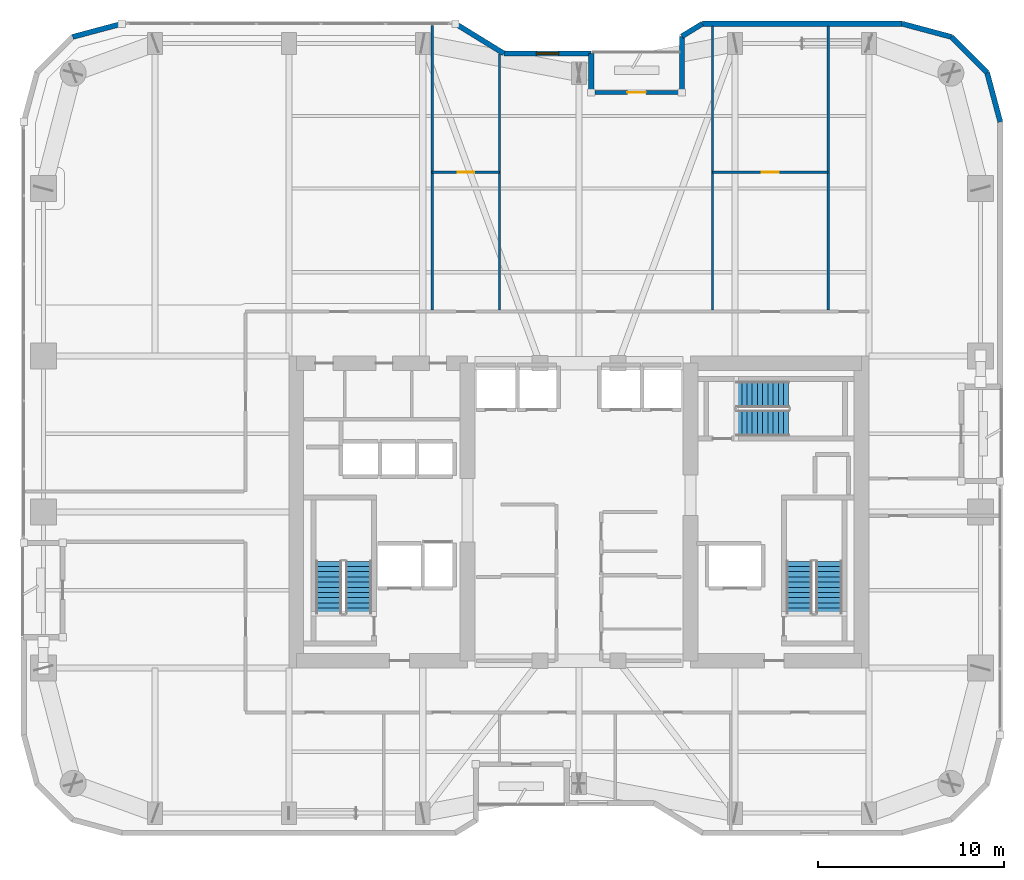
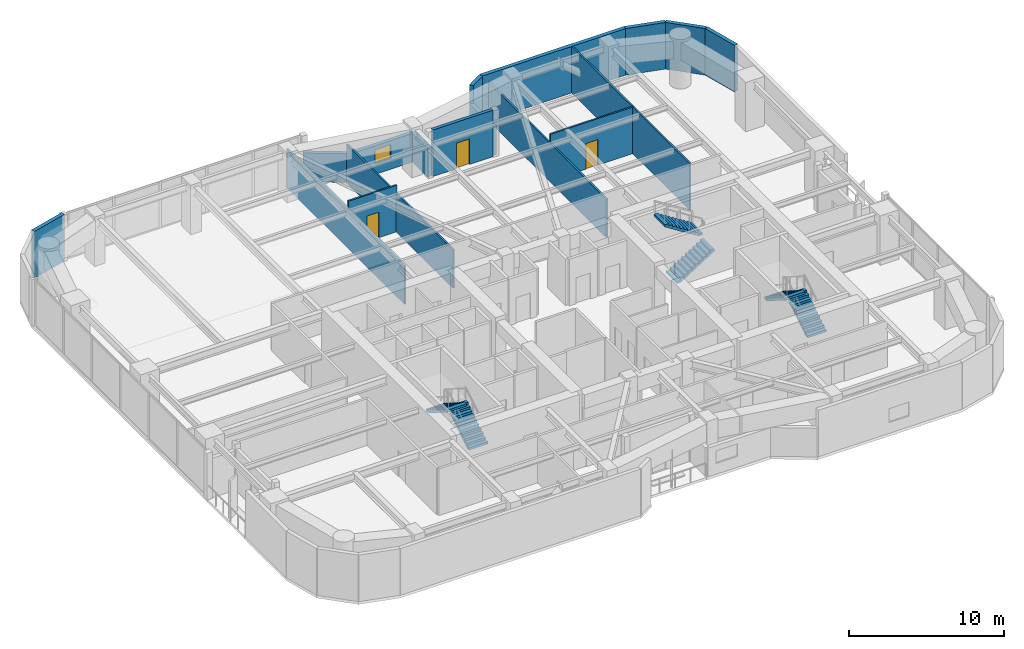
# One storey, part 28 of 31: 17 walls, 6 stair flights, 3 doors, 1 window, 4 openings, 3 elements without a shape of their own.
"""IFC4 building model written with IfcOpenShell, lengths in metres."""

from ifc_helpers import new_model, si_unit, direction, frame, frame_2d, origin, place, context, subcontext, project, spatial, polyline, rectangle, outline, extrude, material, layer, layer_set, type_object, element, fill, aggregate, save


model = new_model("IFC4")

# Units and contexts
model_context = context("Model", 3, precision=1e-05, world=origin(), true_north=direction((0.0, 1.0)))
body_context = subcontext(model_context, "Body", "Model", "MODEL_VIEW")
ifc_project = project(units=[si_unit("LENGTHUNIT", "METRE"), si_unit("AREAUNIT", "SQUARE_METRE"), si_unit("VOLUMEUNIT", "CUBIC_METRE"), si_unit("PLANEANGLEUNIT", "RADIAN"), si_unit("MASSUNIT", "GRAM", prefix="KILO")], contexts=[model_context])

# Site, building, storey
site_placement = place(None, origin())
site = spatial("IfcSite", under=ifc_project, at=site_placement, CompositionType="ELEMENT")
building_placement = place(site_placement, origin())
building = spatial("IfcBuilding", under=site, at=building_placement, Name="Kiyonajd Concourse Tower", CompositionType="ELEMENT")
storey_placement = place(building_placement, frame((0.0, 0.0, 158.39990234375)))
storey = spatial("IfcBuildingStorey", under=building, at=storey_placement, Name="L40", CompositionType="ELEMENT", Elevation=158.39990234375)

# Walls
ifc_material_1 = material(Name="Precast concrete C50/60", Category="concrete")
ifc_layer_1 = layer(ifc_material_1, 0.280029296875)
ifc_layer_set_1 = layer_set([ifc_layer_1], Name="Precast concrete C50/60")
wall_type_1 = type_object("IfcWallType", Name="WL-EXT-280", PredefinedType="SOLIDWALL", material=ifc_layer_set_1)
wall_1_placement = place(storey_placement, frame((20.7724609375, 61.551513671875, 0.0), z_axis=(0.0, 0.0, 1.0), x_axis=(0.965971118627, 0.258649952598, 0.0)))
element("IfcWall", 1, at=wall_1_placement, inside=storey, type_object=wall_type_1, Name="L40 Exterior Concrete Frame Wall 08", PredefinedType="SOLIDWALL", context=body_context, shape_type="SweptSolid", body=[
    extrude(rectangle(XDim=2.7392578125, YDim=0.280029296875, at=frame_2d((1.36962890625, 0.0))), origin(), (0.0, 0.0, 1.0), 3.68017578125),
])
wall_2_placement = place(storey_placement, frame((41.3603515625, 62.260009765625, 0.0), z_axis=(0.0, 0.0, 1.0), x_axis=(0.851652825334, -0.524106349037, 0.0)))
element("IfcWall", 2, at=wall_2_placement, inside=storey, type_object=wall_type_1, Name="L40 Exterior Concrete Frame Wall 10", PredefinedType="SOLIDWALL", context=body_context, shape_type="SweptSolid", body=[
    extrude(rectangle(XDim=3.052978515625, YDim=0.280029296875, at=frame_2d((1.5263671875, 0.0))), origin(), (0.0, 0.0, 1.0), 2.26513671875),
])

# Wall, opening, window
wall_3_placement = place(storey_placement, frame((43.96044921875, 60.659912109375, 0.0), z_axis=(0.0, 0.0, 1.0), x_axis=(1.0, 0.0, 0.0)))
wall_3 = element("IfcWall", 3, at=wall_3_placement, inside=storey, type_object=wall_type_1, Name="L40 Exterior Concrete Frame Wall 11", PredefinedType="SOLIDWALL", context=body_context, shape_type="SweptSolid", body=[
    extrude(rectangle(XDim=4.699462890625, YDim=0.280029296875, at=frame_2d((2.349609375, 0.0))), origin(), (0.0, 0.0, 1.0), 2.26513671875),
])
opening_1_placement = place(wall_3_placement, frame((1.75, 0.0, 0.85009765625)))
opening_1 = element("IfcOpeningElement", 4, at=opening_1_placement, cuts=wall_3, Name="Opening WN3", PredefinedType="OPENING", context=body_context, shape_type="SweptSolid", body=[
    extrude(rectangle(XDim=1.199951171875, YDim=1.10009765625, at=frame_2d((0.60009765625, 0.550048828125))), frame((0.0, 0.14990234375, 0.0), z_axis=(0.0, -1.0, 0.0), x_axis=(1.0, 0.0, 0.0)), (0.0, 0.0, 1.0), 0.300048828125),
])
ifc_material_2 = material(Name="Double Low-E Insulated Glass", Category="glass")
window_type = type_object("IfcWindowType", Name="WN-VIS-1200x1100", PartitioningType="SINGLE_PANEL", PredefinedType="WINDOW", material=ifc_material_2)
window_placement = place(opening_1_placement, origin())
window = element("IfcWindow", 5, at=window_placement, inside=storey, type_object=window_type, Name="L40 Modular Facade Vision Window 11", OverallHeight=1.10009765625, OverallWidth=1.199951171875, PartitioningType="SINGLE_PANEL", PredefinedType="WINDOW", context=body_context, shape_type="SweptSolid", body=[
    extrude(rectangle(XDim=1.199951171875, YDim=1.10009765625, at=frame_2d((0.60009765625, 0.550048828125))), frame((0.0, 0.030029296875, 0.0), z_axis=(0.0, -1.0, 0.0), x_axis=(1.0, 0.0, 0.0)), (0.0, 0.0, 1.0), 0.06005859375),
])
fill(opening_1, window)

# Walls
wall_4_placement = place(storey_placement, frame((48.659912109375, 60.659912109375, 0.0), z_axis=(0.0, 0.0, 1.0), x_axis=(0.0, -1.0, 0.0)))
element("IfcWall", 6, at=wall_4_placement, inside=storey, type_object=wall_type_1, Name="L40 Exterior Concrete Frame Wall 12", PredefinedType="SOLIDWALL", context=body_context, shape_type="SweptSolid", body=[
    extrude(rectangle(XDim=2.099853515625, YDim=0.280029296875, at=frame_2d((1.0498046875, 0.0))), origin(), (0.0, 0.0, 1.0), 2.26513671875),
])
wall_5_placement = place(storey_placement, frame((53.5400390625, 58.56005859375, 0.0), z_axis=(0.0, 0.0, 1.0), x_axis=(0.0, 1.0, 0.0)))
element("IfcWall", 7, at=wall_5_placement, inside=storey, type_object=wall_type_1, Name="L40 Exterior Concrete Frame Wall 14", PredefinedType="SOLIDWALL", context=body_context, shape_type="SweptSolid", body=[
    extrude(rectangle(XDim=3.023681640625, YDim=0.280029296875, at=frame_2d((1.51171875, 0.0))), origin(), (0.0, 0.0, 1.0), 2.26513671875),
])
wall_6_placement = place(storey_placement, frame((53.5400390625, 61.583740234375, 0.0), z_axis=(0.0, 0.0, 1.0), x_axis=(0.851801140441, 0.523865266212, 0.0)))
element("IfcWall", 8, at=wall_6_placement, inside=storey, type_object=wall_type_1, Name="L40 Exterior Concrete Frame Wall 15", PredefinedType="SOLIDWALL", context=body_context, shape_type="SweptSolid", body=[
    extrude(rectangle(XDim=1.291015625, YDim=0.280029296875, at=frame_2d((0.6455078125, 0.0))), origin(), (0.0, 0.0, 1.0), 3.68017578125),
])
wall_7_placement = place(storey_placement, frame((54.6396484375, 62.260009765625, 0.0), z_axis=(0.0, 0.0, 1.0), x_axis=(1.0, 0.0, 0.0)))
element("IfcWall", 9, at=wall_7_placement, inside=storey, type_object=wall_type_1, Name="L40 Exterior Concrete Frame Wall 16", PredefinedType="SOLIDWALL", context=body_context, shape_type="SweptSolid", body=[
    extrude(rectangle(XDim=10.741943359375, YDim=0.280029296875, at=frame_2d((5.37109375, 0.0))), origin(), (0.0, 0.0, 1.0), 3.68017578125),
])
wall_8_placement = place(storey_placement, frame((65.381591796875, 62.260009765625, 0.0), z_axis=(0.0, 0.0, 1.0), x_axis=(0.965971118627, -0.258649952598, 0.0)))
element("IfcWall", 10, at=wall_8_placement, inside=storey, type_object=wall_type_1, Name="L40 Exterior Concrete Frame Wall 17", PredefinedType="SOLIDWALL", context=body_context, shape_type="SweptSolid", body=[
    extrude(rectangle(XDim=2.7392578125, YDim=0.280029296875, at=frame_2d((1.36962890625, 0.0))), origin(), (0.0, 0.0, 1.0), 3.68017578125),
])
wall_9_placement = place(storey_placement, frame((68.027587890625, 61.551513671875, 0.0), z_axis=(0.0, 0.0, 1.0), x_axis=(0.707061915429, -0.707151644098, 0.0)))
element("IfcWall", 11, at=wall_9_placement, inside=storey, type_object=wall_type_1, Name="L40 Exterior Concrete Frame Wall 18", PredefinedType="SOLIDWALL", context=body_context, shape_type="SweptSolid", body=[
    extrude(rectangle(XDim=2.720947265625, YDim=0.280029296875, at=frame_2d((1.3603515625, 0.0))), origin(), (0.0, 0.0, 1.0), 3.68017578125),
])
wall_10_placement = place(storey_placement, frame((69.951416015625, 59.62744140625, 0.0), z_axis=(0.0, 0.0, 1.0), x_axis=(0.258672222976, -0.9659651552, 0.0)))
element("IfcWall", 12, at=wall_10_placement, inside=storey, type_object=wall_type_1, Name="L40 Exterior Concrete Frame Wall 19", PredefinedType="SOLIDWALL", context=body_context, shape_type="SweptSolid", body=[
    extrude(rectangle(XDim=2.739013671875, YDim=0.280029296875, at=frame_2d((1.36962890625, 0.0))), origin(), (0.0, 0.0, 1.0), 3.68017578125),
])

# Wall, opening, door
ifc_layer_2 = layer(ifc_material_1, 0.239990234375)
ifc_layer_set_2 = layer_set([ifc_layer_2], Name="Precast concrete C50/60")
wall_type_2 = type_object("IfcWallType", Name="WL-LOG-240", PredefinedType="SOLIDWALL", material=ifc_layer_set_2)
wall_11_placement = place(storey_placement, frame((48.85498046875, 58.56005859375, 0.0), z_axis=(0.0, 0.0, 1.0), x_axis=(1.0, 0.0, 0.0)))
wall_11 = element("IfcWall", 13, at=wall_11_placement, inside=storey, type_object=wall_type_2, Name="L40 Recessed Loggia Thermal Wall LOG-N", PredefinedType="SOLIDWALL", context=body_context, shape_type="SweptSolid", body=[
    extrude(rectangle(XDim=4.489990234375, YDim=0.239990234375, at=frame_2d((2.2451171875, 0.0))), origin(), (0.0, 0.0, 1.0), 3.68017578125),
])
opening_2_placement = place(wall_11_placement, frame((1.7451171875, 0.0, 0.0)))
opening_2 = element("IfcOpeningElement", 14, at=opening_2_placement, cuts=wall_11, Name="Opening DL1", PredefinedType="OPENING", context=body_context, shape_type="SweptSolid", body=[
    extrude(rectangle(XDim=1.0, YDim=2.02001953125, at=frame_2d((0.5, 1.010009765625))), frame((0.0, 0.1298828125, 0.0), z_axis=(0.0, -1.0, 0.0), x_axis=(1.0, 0.0, 0.0)), (0.0, 0.0, 1.0), 0.260009765625),
])
ifc_material_3 = material(Name="Thermally Broken Anodised Aluminium", Category="aluminium")
door_type_1 = type_object("IfcDoorType", Name="DR-LOG-1000", OperationType="NOTDEFINED", PredefinedType="DOOR", material=ifc_material_3)
door_1_placement = place(opening_2_placement, origin())
door_1 = element("IfcDoor", 15, at=door_1_placement, inside=storey, type_object=door_type_1, Name="L40 Engawa Loggia Access Door LOG-N", OperationType="SINGLE_SWING_RIGHT", OverallHeight=2.02001953125, OverallWidth=1.0, PredefinedType="DOOR", context=body_context, shape_type="SweptSolid", body=[
    extrude(rectangle(XDim=1.0, YDim=2.02001953125, at=frame_2d((0.5, 1.010009765625))), frame((0.0, 0.02490234375, 0.0), z_axis=(0.0, -1.0, 0.0), x_axis=(1.0, 0.0, 0.0)), (0.0, 0.0, 1.0), 0.050048828125),
])
fill(opening_2, door_1)

ifc_material_4 = material(Name="Gypsum Board on Cold-Formed Steel Stud", Category="steel")
ifc_layer_3 = layer(ifc_material_4, 0.125)
ifc_layer_set_3 = layer_set([ifc_layer_3], Name="Gypsum Board on Cold-Formed Steel Stud")
wall_type_3 = type_object("IfcWallType", Name="WL-PART-125", PredefinedType="PARTITIONING", material=ifc_layer_set_3)
wall_12_placement = place(storey_placement, frame((40.110107421875, 54.280029296875, 0.0), z_axis=(0.0, 0.0, 1.0), x_axis=(1.0, 0.0, 0.0)))
wall_12 = element("IfcWall", 16, at=wall_12_placement, inside=storey, type_object=wall_type_3, Name="L40 Interior Partition Wall", PredefinedType="PARTITIONING", context=body_context, shape_type="SweptSolid", body=[
    extrude(rectangle(XDim=3.619873046875, YDim=0.125, at=frame_2d((1.81005859375, 0.0))), origin(), (0.0, 0.0, 1.0), 3.68017578125),
])
opening_3_placement = place(wall_12_placement, frame((1.360107421875, 0.0, 0.0)))
opening_3 = element("IfcOpeningElement", 17, at=opening_3_placement, cuts=wall_12, Name="Opening DI2", PredefinedType="OPENING", context=body_context, shape_type="SweptSolid", body=[
    extrude(rectangle(XDim=0.89990234375, YDim=2.02001953125, at=frame_2d((0.449951171875, 1.010009765625))), frame((0.0, 0.072509765625, 0.0), z_axis=(0.0, -1.0, 0.0), x_axis=(1.0, 0.0, 0.0)), (0.0, 0.0, 1.0), 0.14501953125),
])
ifc_material_5 = material(Name="Natural Oak Acoustic Timber Veneer", Category="wood")
door_type_2 = type_object("IfcDoorType", Name="DR-INT-900", OperationType="NOTDEFINED", PredefinedType="DOOR", material=ifc_material_5)
door_2_placement = place(opening_3_placement, origin())
door_2 = element("IfcDoor", 18, at=door_2_placement, inside=storey, type_object=door_type_2, Name="L40 Interior Door", OperationType="SINGLE_SWING_LEFT", OverallHeight=2.02001953125, OverallWidth=0.89990234375, PredefinedType="DOOR", context=body_context, shape_type="SweptSolid", body=[
    extrude(rectangle(XDim=0.89990234375, YDim=2.02001953125, at=frame_2d((0.449951171875, 1.010009765625))), frame((0.0, 0.02490234375, 0.0), z_axis=(0.0, -1.0, 0.0), x_axis=(1.0, 0.0, 0.0)), (0.0, 0.0, 1.0), 0.050048828125),
])
fill(opening_3, door_2)

# Walls
wall_13_placement = place(storey_placement, frame((40.110107421875, 46.866943359375, 0.0), z_axis=(0.0, 0.0, 1.0), x_axis=(0.0, 1.0, 0.0)))
element("IfcWall", 19, at=wall_13_placement, inside=storey, type_object=wall_type_3, Name="L40 Interior Partition Wall", PredefinedType="PARTITIONING", context=body_context, shape_type="SweptSolid", body=[
    extrude(rectangle(XDim=15.298095703125, YDim=0.125, at=frame_2d((7.64892578125, 0.0))), origin(), (0.0, 0.0, 1.0), 3.043212890625),
])
wall_14_placement = place(storey_placement, frame((43.72998046875, 46.866943359375, 0.0), z_axis=(0.0, 0.0, 1.0), x_axis=(0.0, 1.0, 0.0)))
element("IfcWall", 20, at=wall_14_placement, inside=storey, type_object=wall_type_3, Name="L40 Interior Partition Wall", PredefinedType="PARTITIONING", context=body_context, shape_type="SweptSolid", body=[
    extrude(rectangle(XDim=13.76611328125, YDim=0.125, at=frame_2d((6.883056640625, 0.0))), origin(), (0.0, 0.0, 1.0), 3.043212890625),
])

# Wall, opening, door
wall_15_placement = place(storey_placement, frame((55.179931640625, 54.280029296875, 0.0), z_axis=(0.0, 0.0, 1.0), x_axis=(1.0, 0.0, 0.0)))
wall_15 = element("IfcWall", 21, at=wall_15_placement, inside=storey, type_object=wall_type_3, Name="L40 Interior Partition Wall", PredefinedType="PARTITIONING", context=body_context, shape_type="SweptSolid", body=[
    extrude(rectangle(XDim=6.219970703125, YDim=0.125, at=frame_2d((3.10986328125, 0.0))), origin(), (0.0, 0.0, 1.0), 3.68017578125),
])
opening_4_placement = place(wall_15_placement, frame((2.659912109375, 0.0, 0.0)))
opening_4 = element("IfcOpeningElement", 22, at=opening_4_placement, cuts=wall_15, Name="Opening DI2", PredefinedType="OPENING", context=body_context, shape_type="SweptSolid", body=[
    extrude(rectangle(XDim=0.89990234375, YDim=2.02001953125, at=frame_2d((0.449951171875, 1.010009765625))), frame((0.0, 0.072509765625, 0.0), z_axis=(0.0, -1.0, 0.0), x_axis=(1.0, 0.0, 0.0)), (0.0, 0.0, 1.0), 0.14501953125),
])
door_3_placement = place(opening_4_placement, origin())
door_3 = element("IfcDoor", 23, at=door_3_placement, inside=storey, type_object=door_type_2, Name="L40 Interior Door", OperationType="SINGLE_SWING_RIGHT", OverallHeight=2.02001953125, OverallWidth=0.89990234375, PredefinedType="DOOR", context=body_context, shape_type="SweptSolid", body=[
    extrude(rectangle(XDim=0.89990234375, YDim=2.02001953125, at=frame_2d((0.449951171875, 1.010009765625))), frame((0.0, 0.02490234375, 0.0), z_axis=(0.0, -1.0, 0.0), x_axis=(1.0, 0.0, 0.0)), (0.0, 0.0, 1.0), 0.050048828125),
])
fill(opening_4, door_3)

# Walls
wall_16_placement = place(storey_placement, frame((55.179931640625, 46.866943359375, 0.0), z_axis=(0.0, 0.0, 1.0), x_axis=(0.0, 1.0, 0.0)))
element("IfcWall", 24, at=wall_16_placement, inside=storey, type_object=wall_type_3, Name="L40 Interior Partition Wall", PredefinedType="PARTITIONING", context=body_context, shape_type="SweptSolid", body=[
    extrude(rectangle(XDim=15.258056640625, YDim=0.125, at=frame_2d((7.62890625, 0.0))), origin(), (0.0, 0.0, 1.0), 3.043212890625),
])
wall_17_placement = place(storey_placement, frame((61.39990234375, 46.866943359375, 0.0), z_axis=(0.0, 0.0, 1.0), x_axis=(0.0, 1.0, 0.0)))
element("IfcWall", 25, at=wall_17_placement, inside=storey, type_object=wall_type_3, Name="L40 Interior Partition Wall", PredefinedType="PARTITIONING", context=body_context, shape_type="SweptSolid", body=[
    extrude(rectangle(XDim=15.258056640625, YDim=0.125, at=frame_2d((7.62890625, 0.0))), origin(), (0.0, 0.0, 1.0), 3.68017578125),
])

# Stair, stair flights
ifc_material_6 = material(Name="Concrete C40/50", Category="concrete")
stair_type = type_object("IfcStairType", Name="ST-DLG-22R", PredefinedType="HALF_TURN_STAIR", material=ifc_material_6)
stair_1_placement = place(storey_placement, origin())
stair_1 = element("IfcStair", 26, at=stair_1_placement, inside=storey, type_object=stair_type, Name="L40 Protected Exit Stair ST1", PredefinedType="HALF_TURN_STAIR")
stair_flight_type = type_object("IfcStairFlightType", Name="SF-STR-22R", PredefinedType="STRAIGHT", material=ifc_material_6)
stair_flight_1_placement = place(storey_placement, frame((36.14990234375, 30.550048828125, 0.0), z_axis=(0.0, 0.0, 1.0), x_axis=(0.0, 1.0, 0.0)))
stair_flight_1 = element("IfcStairFlight", 27, at=stair_flight_1_placement, type_object=stair_flight_type, Name="ST1 flight 1", NumberOfRisers=11, NumberOfTreads=10, PredefinedType="STRAIGHT", RiserHeight=0.177272727, TreadLength=0.28, context=body_context, shape_type="SweptSolid", body=[
    extrude(outline(polyline([(0.0, 0.0), (0.0, 0.17724609375), (0.280029296875, 0.17724609375), (0.280029296875, 0.3544921875), (0.56005859375, 0.3544921875), (0.56005859375, 0.53173828125), (0.840087890625, 0.53173828125), (0.840087890625, 0.708984375), (1.1201171875, 0.708984375), (1.1201171875, 0.886474609375), (1.39990234375, 0.886474609375), (1.39990234375, 1.063720703125), (1.679931640625, 1.063720703125), (1.679931640625, 1.240966796875), (1.9599609375, 1.240966796875), (1.9599609375, 1.418212890625), (2.239990234375, 1.418212890625), (2.239990234375, 1.595458984375), (2.52001953125, 1.595458984375), (2.52001953125, 1.772705078125), (2.800048828125, 1.772705078125), (2.800048828125, 1.949951171875), (2.800048828125, 1.59521484375), (0.2802734375, 0.0), (0.0, 0.0)])), frame((0.0, 0.699951171875, 0.0), z_axis=(0.0, -1.0, 0.0), x_axis=(1.0, 0.0, 0.0)), (0.0, 0.0, 1.0), 1.39990234375),
])
stair_flight_2_placement = place(storey_placement, frame((34.550048828125, 33.35009765625, 1.9501953125), z_axis=(0.0, 0.0, 1.0), x_axis=(0.0, -1.0, 0.0)))
stair_flight_2 = element("IfcStairFlight", 28, at=stair_flight_2_placement, type_object=stair_flight_type, Name="ST1 flight 2", NumberOfRisers=11, NumberOfTreads=10, PredefinedType="STRAIGHT", RiserHeight=0.177272727, TreadLength=0.28, context=body_context, shape_type="SweptSolid", body=[
    extrude(outline(polyline([(0.0, 0.0), (0.0, 0.17724609375), (0.280029296875, 0.17724609375), (0.280029296875, 0.3544921875), (0.56005859375, 0.3544921875), (0.56005859375, 0.53173828125), (0.840087890625, 0.53173828125), (0.840087890625, 0.708984375), (1.1201171875, 0.708984375), (1.1201171875, 0.886474609375), (1.39990234375, 0.886474609375), (1.39990234375, 1.063720703125), (1.679931640625, 1.063720703125), (1.679931640625, 1.240966796875), (1.9599609375, 1.240966796875), (1.9599609375, 1.418212890625), (2.239990234375, 1.418212890625), (2.239990234375, 1.595458984375), (2.52001953125, 1.595458984375), (2.52001953125, 1.772705078125), (2.800048828125, 1.772705078125), (2.800048828125, 1.949951171875), (2.800048828125, 1.59521484375), (0.2802734375, 0.0), (0.0, 0.0)])), frame((0.0, 0.699951171875, 0.0), z_axis=(0.0, -1.0, 0.0), x_axis=(1.0, 0.0, 0.0)), (0.0, 0.0, 1.0), 1.39990234375),
])
aggregate(stair_1, [stair_flight_1, stair_flight_2])

stair_2_placement = place(storey_placement, origin())
stair_2 = element("IfcStair", 29, at=stair_2_placement, inside=storey, type_object=stair_type, Name="L40 Protected Exit Stair ST2", PredefinedType="HALF_TURN_STAIR")
stair_flight_3_placement = place(storey_placement, frame((61.449951171875, 30.550048828125, 0.0), z_axis=(0.0, 0.0, 1.0), x_axis=(0.0, 1.0, 0.0)))
stair_flight_3 = element("IfcStairFlight", 30, at=stair_flight_3_placement, type_object=stair_flight_type, Name="ST2 flight 1", NumberOfRisers=11, NumberOfTreads=10, PredefinedType="STRAIGHT", RiserHeight=0.177272727, TreadLength=0.28, context=body_context, shape_type="SweptSolid", body=[
    extrude(outline(polyline([(0.0, 0.0), (0.0, 0.17724609375), (0.280029296875, 0.17724609375), (0.280029296875, 0.3544921875), (0.56005859375, 0.3544921875), (0.56005859375, 0.53173828125), (0.840087890625, 0.53173828125), (0.840087890625, 0.708984375), (1.1201171875, 0.708984375), (1.1201171875, 0.886474609375), (1.39990234375, 0.886474609375), (1.39990234375, 1.063720703125), (1.679931640625, 1.063720703125), (1.679931640625, 1.240966796875), (1.9599609375, 1.240966796875), (1.9599609375, 1.418212890625), (2.239990234375, 1.418212890625), (2.239990234375, 1.595458984375), (2.52001953125, 1.595458984375), (2.52001953125, 1.772705078125), (2.800048828125, 1.772705078125), (2.800048828125, 1.949951171875), (2.800048828125, 1.59521484375), (0.2802734375, 0.0), (0.0, 0.0)])), frame((0.0, 0.699951171875, 0.0), z_axis=(0.0, -1.0, 0.0), x_axis=(1.0, 0.0, 0.0)), (0.0, 0.0, 1.0), 1.39990234375),
])
stair_flight_4_placement = place(storey_placement, frame((59.85009765625, 33.35009765625, 1.9501953125), z_axis=(0.0, 0.0, 1.0), x_axis=(0.0, -1.0, 0.0)))
stair_flight_4 = element("IfcStairFlight", 31, at=stair_flight_4_placement, type_object=stair_flight_type, Name="ST2 flight 2", NumberOfRisers=11, NumberOfTreads=10, PredefinedType="STRAIGHT", RiserHeight=0.177272727, TreadLength=0.28, context=body_context, shape_type="SweptSolid", body=[
    extrude(outline(polyline([(0.0, 0.0), (0.0, 0.17724609375), (0.280029296875, 0.17724609375), (0.280029296875, 0.3544921875), (0.56005859375, 0.3544921875), (0.56005859375, 0.53173828125), (0.840087890625, 0.53173828125), (0.840087890625, 0.708984375), (1.1201171875, 0.708984375), (1.1201171875, 0.886474609375), (1.39990234375, 0.886474609375), (1.39990234375, 1.063720703125), (1.679931640625, 1.063720703125), (1.679931640625, 1.240966796875), (1.9599609375, 1.240966796875), (1.9599609375, 1.418212890625), (2.239990234375, 1.418212890625), (2.239990234375, 1.595458984375), (2.52001953125, 1.595458984375), (2.52001953125, 1.772705078125), (2.800048828125, 1.772705078125), (2.800048828125, 1.949951171875), (2.800048828125, 1.59521484375), (0.2802734375, 0.0), (0.0, 0.0)])), frame((0.0, 0.699951171875, 0.0), z_axis=(0.0, -1.0, 0.0), x_axis=(1.0, 0.0, 0.0)), (0.0, 0.0, 1.0), 1.39990234375),
])
aggregate(stair_2, [stair_flight_3, stair_flight_4])

stair_3_placement = place(storey_placement, origin())
stair_3 = element("IfcStair", 32, at=stair_3_placement, inside=storey, type_object=stair_type, Name="L40 Protected Exit Stair ST3", PredefinedType="HALF_TURN_STAIR")
stair_flight_5_placement = place(storey_placement, frame((56.47998046875, 40.780029296875, 0.0), z_axis=(0.0, 0.0, 1.0), x_axis=(1.0, 0.0, 0.0)))
stair_flight_5 = element("IfcStairFlight", 33, at=stair_flight_5_placement, type_object=stair_flight_type, Name="ST3 flight 1", NumberOfRisers=11, NumberOfTreads=10, PredefinedType="STRAIGHT", RiserHeight=0.177272727, TreadLength=0.28, context=body_context, shape_type="SweptSolid", body=[
    extrude(outline(polyline([(0.0, 0.0), (0.0, 0.17724609375), (0.280029296875, 0.17724609375), (0.280029296875, 0.3544921875), (0.56005859375, 0.3544921875), (0.56005859375, 0.53173828125), (0.840087890625, 0.53173828125), (0.840087890625, 0.708984375), (1.1201171875, 0.708984375), (1.1201171875, 0.886474609375), (1.39990234375, 0.886474609375), (1.39990234375, 1.063720703125), (1.679931640625, 1.063720703125), (1.679931640625, 1.240966796875), (1.9599609375, 1.240966796875), (1.9599609375, 1.418212890625), (2.239990234375, 1.418212890625), (2.239990234375, 1.595458984375), (2.52001953125, 1.595458984375), (2.52001953125, 1.772705078125), (2.800048828125, 1.772705078125), (2.800048828125, 1.949951171875), (2.800048828125, 1.59521484375), (0.2802734375, 0.0), (0.0, 0.0)])), frame((0.0, 0.699951171875, 0.0), z_axis=(0.0, -1.0, 0.0), x_axis=(1.0, 0.0, 0.0)), (0.0, 0.0, 1.0), 1.39990234375),
])
stair_flight_6_placement = place(storey_placement, frame((59.280029296875, 42.320068359375, 1.9501953125), z_axis=(0.0, 0.0, 1.0), x_axis=(-1.0, 0.0, 0.0)))
stair_flight_6 = element("IfcStairFlight", 34, at=stair_flight_6_placement, type_object=stair_flight_type, Name="ST3 flight 2", NumberOfRisers=11, NumberOfTreads=10, PredefinedType="STRAIGHT", RiserHeight=0.177272727, TreadLength=0.28, context=body_context, shape_type="SweptSolid", body=[
    extrude(outline(polyline([(0.0, 0.0), (0.0, 0.17724609375), (0.280029296875, 0.17724609375), (0.280029296875, 0.3544921875), (0.56005859375, 0.3544921875), (0.56005859375, 0.53173828125), (0.840087890625, 0.53173828125), (0.840087890625, 0.708984375), (1.1201171875, 0.708984375), (1.1201171875, 0.886474609375), (1.39990234375, 0.886474609375), (1.39990234375, 1.063720703125), (1.679931640625, 1.063720703125), (1.679931640625, 1.240966796875), (1.9599609375, 1.240966796875), (1.9599609375, 1.418212890625), (2.239990234375, 1.418212890625), (2.239990234375, 1.595458984375), (2.52001953125, 1.595458984375), (2.52001953125, 1.772705078125), (2.800048828125, 1.772705078125), (2.800048828125, 1.949951171875), (2.800048828125, 1.59521484375), (0.2802734375, 0.0), (0.0, 0.0)])), frame((0.0, 0.699951171875, 0.0), z_axis=(0.0, -1.0, 0.0), x_axis=(1.0, 0.0, 0.0)), (0.0, 0.0, 1.0), 1.39990234375),
])
aggregate(stair_3, [stair_flight_5, stair_flight_6])

save(model, "model.ifc")
